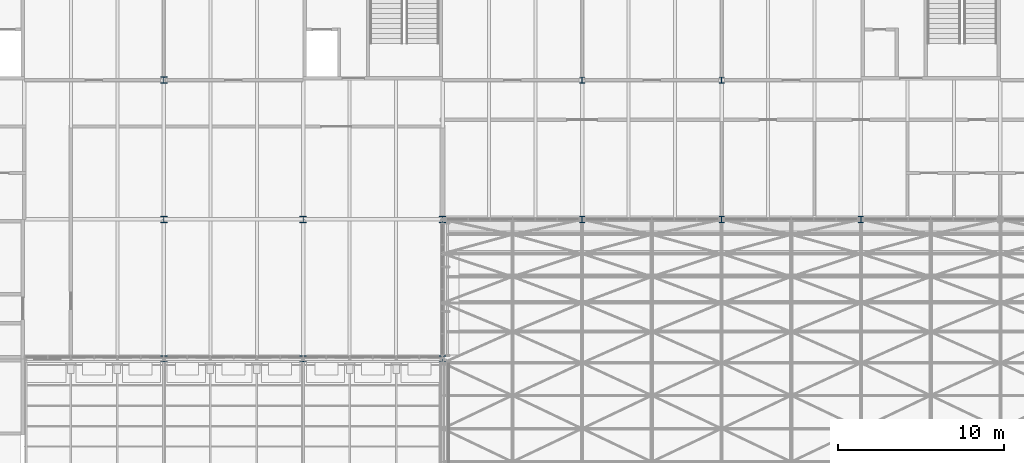
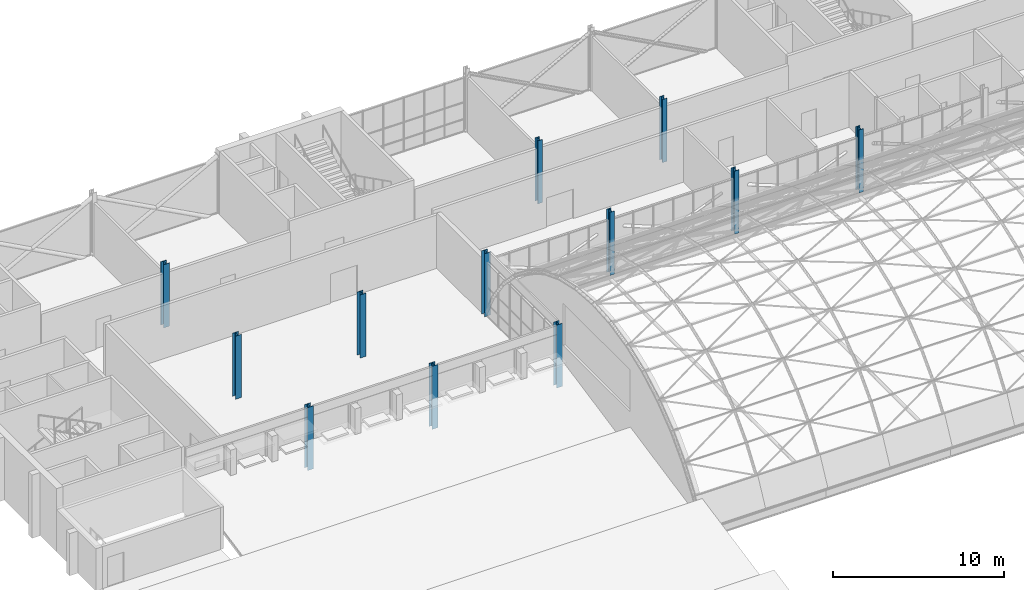
# One storey, part 1 of 121: 12 columns.
"""IFC4 building model written with IfcOpenShell, lengths in metres."""

from ifc_helpers import new_model, si_unit, direction, frame, origin, origin_2d, place, context, subcontext, project, spatial, i_section, extrude, material, material_profile, profile_set, type_object, element, save


model = new_model("IFC4")

# Units and contexts
model_context = context("Model", 3, precision=1e-05, world=origin(), true_north=direction((0.0, 1.0)))
body_context = subcontext(model_context, "Body", "Model", "MODEL_VIEW")
ifc_project = project(units=[si_unit("LENGTHUNIT", "METRE"), si_unit("AREAUNIT", "SQUARE_METRE"), si_unit("VOLUMEUNIT", "CUBIC_METRE"), si_unit("PLANEANGLEUNIT", "RADIAN"), si_unit("MASSUNIT", "GRAM", prefix="KILO")], contexts=[model_context])

# Site, building, storey
site_placement = place(None, origin())
site = spatial("IfcSite", under=ifc_project, at=site_placement, CompositionType="ELEMENT")
building_placement = place(site_placement, origin())
building = spatial("IfcBuilding", under=site, at=building_placement, Name="Ardhachandra Cancer Care Centre", CompositionType="ELEMENT")
storey_placement = place(building_placement, frame((0.0, 0.0, 9.0)))
storey = spatial("IfcBuildingStorey", under=building, at=storey_placement, Name="L02", CompositionType="ELEMENT", Elevation=9.0)

# Columns
ifc_material_1 = material(Name="Steel E350 (IS 2062)", Category="steel")
ifc_material_profile_1 = material_profile(ifc_material_1, i_section(OverallWidth=0.300048828125, OverallDepth=0.360107421875, WebThickness=0.012451171875, FlangeThickness=0.0224609375, FilletRadius=0.027099609375, at=origin_2d()), Name="WPB 360x300x141.80")
ifc_profile_set_1 = profile_set([ifc_material_profile_1], Name="Steel E350 (IS 2062)")
column_type_1 = type_object("IfcColumnType", Name="Column WPB 360x300x141.80", PredefinedType="COLUMN", material=ifc_profile_set_1)
for number, where, z_axis, x_axis, name in (
    (1, (52.800048828125, 88.199951171875, 0.0), (0.0, 0.0, 1.0), (1.0, 0.0, 0.0), "Column K6 L02"),
    (2, (61.199951171875, 88.199951171875, 0.0), (0.0, 0.0, 1.0), (1.0, 0.0, 0.0), "Column K7 L02"),
):
    element("IfcColumn", number, at=place(storey_placement, frame(where, z_axis=z_axis, x_axis=x_axis)), inside=storey, type_object=column_type_1, Name=name, PredefinedType="COLUMN", context=body_context, shape_type="SweptSolid", body=[
        extrude(i_section(OverallWidth=0.300048828125, OverallDepth=0.360107421875, WebThickness=0.012451171875, FlangeThickness=0.0224609375, FilletRadius=0.027099609375, at=origin_2d()), origin(), (0.0, 0.0, 1.0), 4.5),
    ])
ifc_material_2 = material(Name="Steel E350 (IS 2062)", Category="steel")
ifc_material_profile_2 = material_profile(ifc_material_2, i_section(OverallWidth=0.300048828125, OverallDepth=0.39990234375, WebThickness=0.013427734375, FlangeThickness=0.02392578125, FilletRadius=0.027099609375, at=origin_2d()), Name="WPB 400x300x155.26")
ifc_profile_set_2 = profile_set([ifc_material_profile_2], Name="Steel E350 (IS 2062)")
column_type_2 = type_object("IfcColumnType", Name="Column WPB 400x300x155.26", PredefinedType="COLUMN", material=ifc_profile_set_2)
for number, where, z_axis, x_axis, name in (
    (3, (52.800048828125, 79.800048828125, 0.0), (0.0, 0.0, 1.0), (1.0, 0.0, 0.0), "Column J6 L02"),
    (4, (61.199951171875, 79.800048828125, 0.0), (0.0, 0.0, 1.0), (1.0, 0.0, 0.0), "Column J7 L02"),
    (5, (69.60009765625, 79.800048828125, 0.0), (0.0, 0.0, 1.0), (1.0, 0.0, 0.0), "Column J8 L02"),
):
    element("IfcColumn", number, at=place(storey_placement, frame(where, z_axis=z_axis, x_axis=x_axis)), inside=storey, type_object=column_type_2, Name=name, PredefinedType="COLUMN", context=body_context, shape_type="SweptSolid", body=[
        extrude(i_section(OverallWidth=0.300048828125, OverallDepth=0.39990234375, WebThickness=0.013427734375, FlangeThickness=0.02392578125, FilletRadius=0.027099609375, at=origin_2d()), origin(), (0.0, 0.0, 1.0), 4.5),
    ])
ifc_material_3 = material(Name="Steel E350 (IS 2062)", Category="steel")
ifc_material_profile_3 = material_profile(ifc_material_3, i_section(OverallWidth=0.39111328125, OverallDepth=0.367919921875, WebThickness=0.014892578125, FlangeThickness=0.024169921875, FilletRadius=0.027099609375, at=origin_2d()), Name="WPB 400x400x191.10")
ifc_profile_set_3 = profile_set([ifc_material_profile_3], Name="Steel E350 (IS 2062)")
column_type_3 = type_object("IfcColumnType", Name="Column WPB 400x400x191.10", PredefinedType="COLUMN", material=ifc_profile_set_3)
for number, where, z_axis, x_axis, name in (
    (6, (27.60009765625, 71.39990234375, 0.0), (0.0, 0.0, 1.0), (1.0, 0.0, 0.0), "Column H3 L02"),
    (7, (36.0, 71.39990234375, 0.0), (0.0, 0.0, 1.0), (1.0, 0.0, 0.0), "Column H4 L02"),
    (8, (44.39990234375, 71.39990234375, 0.0), (0.0, 0.0, 1.0), (1.0, 0.0, 0.0), "Column H5 L02"),
    (9, (27.60009765625, 79.800048828125, 0.0), (0.0, 0.0, 1.0), (1.0, 0.0, 0.0), "Column J3 L02"),
    (10, (36.0, 79.800048828125, 0.0), (0.0, 0.0, 1.0), (1.0, 0.0, 0.0), "Column J4 L02"),
    (11, (44.39990234375, 79.800048828125, 0.0), (0.0, 0.0, 1.0), (1.0, 0.0, 0.0), "Column J5 L02"),
    (12, (27.60009765625, 88.199951171875, 0.0), (0.0, 0.0, 1.0), (1.0, 0.0, 0.0), "Column K3 L02"),
):
    element("IfcColumn", number, at=place(storey_placement, frame(where, z_axis=z_axis, x_axis=x_axis)), inside=storey, type_object=column_type_3, Name=name, PredefinedType="COLUMN", context=body_context, shape_type="SweptSolid", body=[
        extrude(i_section(OverallWidth=0.39111328125, OverallDepth=0.367919921875, WebThickness=0.014892578125, FlangeThickness=0.024169921875, FilletRadius=0.027099609375, at=origin_2d()), origin(), (0.0, 0.0, 1.0), 4.5),
    ])

save(model, "model.ifc")
